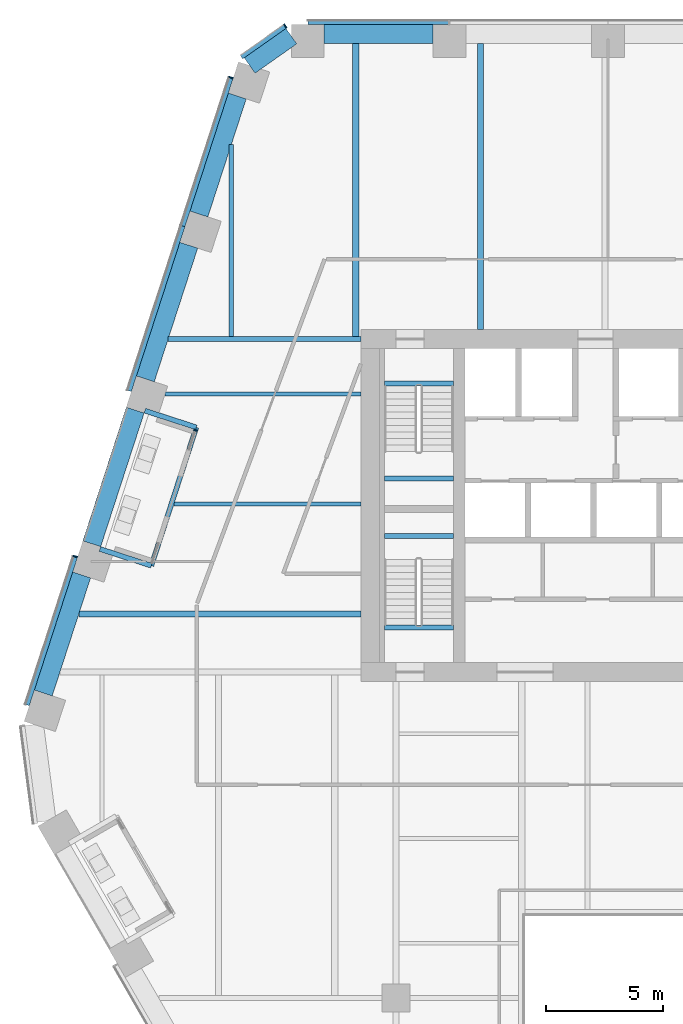
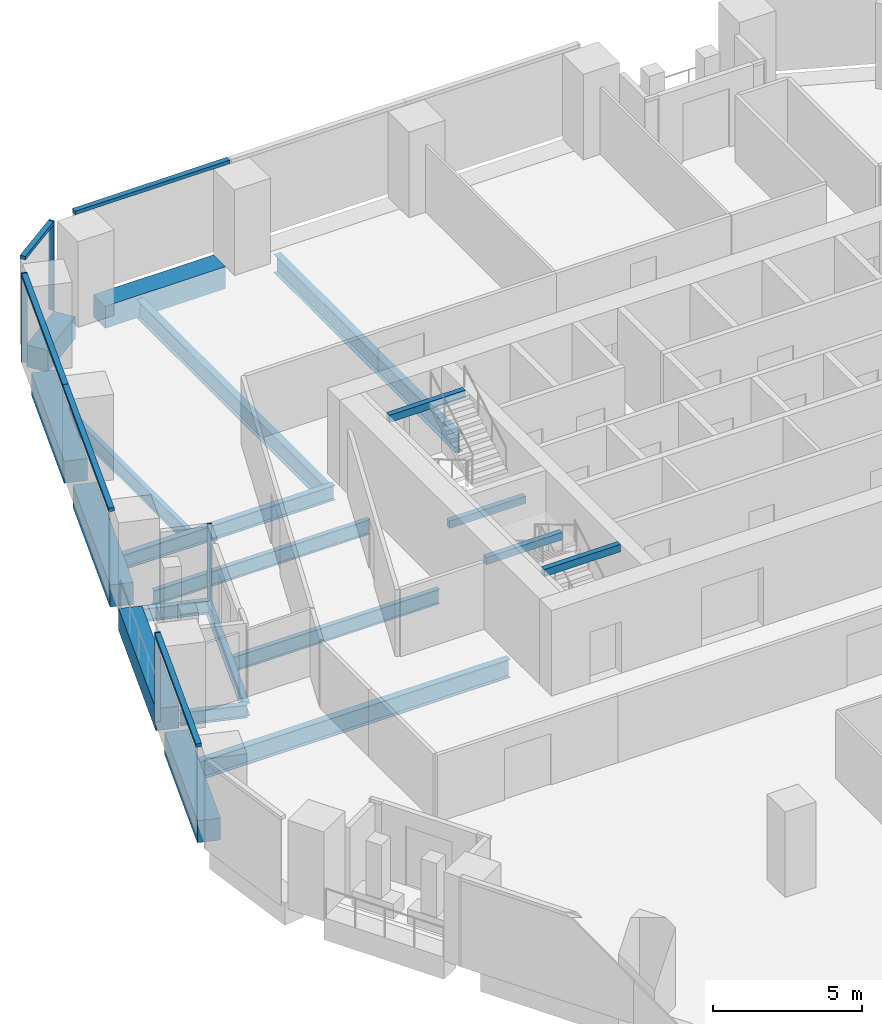
# One storey, part 7 of 24: 20 beams, 9 members, 4 elements without a shape of their own.
"""IFC4 building model written with IfcOpenShell, lengths in metres."""

from ifc_helpers import new_model, si_unit, direction, frame, origin, origin_2d, place, context, subcontext, project, spatial, rectangle, i_section, extrude, material, layer, layer_set, material_profile, profile_set, type_object, element, aggregate, save


model = new_model("IFC4")

# Units and contexts
model_context = context("Model", 3, precision=1e-05, world=origin(), true_north=direction((0.0, 1.0)))
body_context = subcontext(model_context, "Body", "Model", "MODEL_VIEW")
ifc_project = project(units=[si_unit("LENGTHUNIT", "METRE"), si_unit("AREAUNIT", "SQUARE_METRE"), si_unit("VOLUMEUNIT", "CUBIC_METRE"), si_unit("PLANEANGLEUNIT", "RADIAN"), si_unit("MASSUNIT", "GRAM", prefix="KILO")], contexts=[model_context])

# Site, building, storey
site_placement = place(None, origin())
site = spatial("IfcSite", under=ifc_project, at=site_placement, CompositionType="ELEMENT")
building_placement = place(site_placement, origin())
building = spatial("IfcBuilding", under=site, at=building_placement, Name="Isthmus Gate Tower", CompositionType="ELEMENT")
storey_placement = place(building_placement, frame((0.0, 0.0, 159.0)))
storey = spatial("IfcBuildingStorey", under=building, at=storey_placement, Name="L39", CompositionType="ELEMENT", Elevation=159.0)

# Curtain wall, member
ifc_material_1 = material(Name="Aluminium, pale champagne anodised", Category="aluminium")
ifc_layer_1 = layer(ifc_material_1, 0.199951171875)
ifc_layer_set_1 = layer_set([ifc_layer_1], Name="CW-1 UNITISED CURTAIN WALL 200 DEEP")
curtain_wall_type_1 = type_object("IfcCurtainWallType", Name="CW-1 UNITISED CURTAIN WALL 200 DEEP", PredefinedType="NOTDEFINED", material=ifc_layer_set_1)
curtain_wall_1_placement = place(storey_placement, origin())
curtain_wall_1 = element("IfcCurtainWall", 1, at=curtain_wall_1_placement, inside=storey, type_object=curtain_wall_type_1, Name="CW-1 N-NW L39", PredefinedType="NOTDEFINED")
ifc_material_2 = material(Name="Aluminium, pale champagne anodised", Category="aluminium")
ifc_material_profile_1 = material_profile(ifc_material_2, rectangle(XDim=0.06005859375, YDim=0.199951171875, at=origin_2d()), Name="60x200")
ifc_profile_set_1 = profile_set([ifc_material_profile_1], Name="Aluminium, pale champagne anodised")
member_type_1 = type_object("IfcMemberType", Name="CW-1 MULLION 60 X 200", PredefinedType="MULLION", material=ifc_profile_set_1)
member_1_placement = place(storey_placement, frame((-18.216552734375, 27.943115234375, 0.0), z_axis=(0.0, 0.0, 1.0), x_axis=(-0.81785959165, -0.57541783805, 0.0)))
member_1 = element("IfcMember", 2, at=member_1_placement, type_object=member_type_1, Name="CW-1 mullion", PredefinedType="MULLION", context=body_context, shape_type="SweptSolid", body=[
    extrude(rectangle(XDim=0.06005859375, YDim=0.199951171875, at=origin_2d()), origin(), (0.0, 0.0, 1.0), 3.64990234375),
])

# Curtain wall, members
curtain_wall_2_placement = place(storey_placement, origin())
curtain_wall_2 = element("IfcCurtainWall", 3, at=curtain_wall_2_placement, inside=storey, type_object=curtain_wall_type_1, Name="CW-1 NW L39", PredefinedType="NOTDEFINED")
member_2_placement = place(storey_placement, frame((-20.53564453125, 25.75146484375, 0.0), z_axis=(0.0, 0.0, 1.0), x_axis=(-0.309016994375, -0.951056516295, 0.0)))
member_2 = element("IfcMember", 4, at=member_2_placement, type_object=member_type_1, Name="CW-1 mullion", PredefinedType="MULLION", context=body_context, shape_type="SweptSolid", body=[
    extrude(rectangle(XDim=0.06005859375, YDim=0.199951171875, at=origin_2d()), origin(), (0.0, 0.0, 1.0), 3.64990234375),
])
member_3_placement = place(storey_placement, frame((-27.1708984375, 5.330078125, 0.0), z_axis=(0.0, 0.0, 1.0), x_axis=(-0.309016994375, -0.951056516295, 0.0)))
member_3 = element("IfcMember", 5, at=member_3_placement, type_object=member_type_1, Name="CW-1 mullion", PredefinedType="MULLION", context=body_context, shape_type="SweptSolid", body=[
    extrude(rectangle(XDim=0.06005859375, YDim=0.199951171875, at=origin_2d()), origin(), (0.0, 0.0, 1.0), 3.64990234375),
])

# Curtain wall, member
curtain_wall_3_placement = place(storey_placement, origin())
curtain_wall_3 = element("IfcCurtainWall", 6, at=curtain_wall_3_placement, inside=storey, type_object=curtain_wall_type_1, Name="CW-1 N L39", PredefinedType="NOTDEFINED")
ifc_material_3 = material(Name="Aluminium, pale champagne anodised", Category="aluminium")
ifc_material_profile_2 = material_profile(ifc_material_3, rectangle(XDim=0.199951171875, YDim=0.139892578125, at=origin_2d()), Name="200x140")
ifc_profile_set_2 = profile_set([ifc_material_profile_2], Name="Aluminium, pale champagne anodised")
member_type_2 = type_object("IfcMemberType", Name="CW-1 TRANSOM 200 X 140", PredefinedType="USERDEFINED", material=ifc_profile_set_2)
member_4_placement = place(storey_placement, frame((-11.271728515625, 28.10009765625, 3.580078125), z_axis=(-1.0, 0.0, 0.0), x_axis=(0.0, -1.0, 0.0)))
member_4 = element("IfcMember", 7, at=member_4_placement, type_object=member_type_2, Name="CW-1 transom", ObjectType="TRANSOM", PredefinedType="USERDEFINED", context=body_context, shape_type="SweptSolid", body=[
    extrude(rectangle(XDim=0.199951171875, YDim=0.139892578125, at=origin_2d()), origin(), (0.0, 0.0, 1.0), 5.990234375),
])
aggregate(curtain_wall_3, [member_4])

# Member
member_5_placement = place(storey_placement, frame((-18.2412109375, 27.92578125, 3.580078125), z_axis=(-0.817868595604, -0.575405040233, 0.0), x_axis=(0.575405040233, -0.817868595604, 0.0)))
member_5 = element("IfcMember", 8, at=member_5_placement, type_object=member_type_2, Name="CW-1 transom", ObjectType="TRANSOM", PredefinedType="USERDEFINED", context=body_context, shape_type="SweptSolid", body=[
    extrude(rectangle(XDim=0.199951171875, YDim=0.139892578125, at=origin_2d()), origin(), (0.0, 0.0, 1.0), 2.258544921875),
])

aggregate(curtain_wall_1, [member_1, member_5])

member_6_placement = place(storey_placement, frame((-20.544921875, 25.72314453125, 3.580078125), z_axis=(-0.30898366881, -0.951067343782, 0.0), x_axis=(0.951067343782, -0.30898366881, 0.0)))
member_6 = element("IfcMember", 9, at=member_6_placement, type_object=member_type_2, Name="CW-1 transom", ObjectType="TRANSOM", PredefinedType="USERDEFINED", context=body_context, shape_type="SweptSolid", body=[
    extrude(rectangle(XDim=0.199951171875, YDim=0.139892578125, at=origin_2d()), origin(), (0.0, 0.0, 1.0), 6.630859375),
])

member_7_placement = place(storey_placement, frame((-22.59375, 19.416748046875, 3.580078125), z_axis=(-0.309024076379, -0.951054215183, 0.0), x_axis=(0.951054215183, -0.309024076379, 0.0)))
member_7 = element("IfcMember", 10, at=member_7_placement, type_object=member_type_2, Name="CW-1 transom", ObjectType="TRANSOM", PredefinedType="USERDEFINED", context=body_context, shape_type="SweptSolid", body=[
    extrude(rectangle(XDim=0.199951171875, YDim=0.139892578125, at=origin_2d()), origin(), (0.0, 0.0, 1.0), 7.390869140625),
])

member_8_placement = place(storey_placement, frame((-27.18017578125, 5.301513671875, 3.580078125), z_axis=(-0.309027792969, -0.951053007552, 0.0), x_axis=(0.951053007552, -0.309027792969, 0.0)))
member_8 = element("IfcMember", 11, at=member_8_placement, type_object=member_type_2, Name="CW-1 transom", ObjectType="TRANSOM", PredefinedType="USERDEFINED", context=body_context, shape_type="SweptSolid", body=[
    extrude(rectangle(XDim=0.199951171875, YDim=0.139892578125, at=origin_2d()), origin(), (0.0, 0.0, 1.0), 6.630615234375),
])

aggregate(curtain_wall_2, [member_2, member_6, member_7, member_3, member_8])

# Curtain wall, member
ifc_material_4 = material(Name="Aluminium, pale champagne anodised", Category="aluminium")
ifc_layer_2 = layer(ifc_material_4, 0.14990234375)
ifc_layer_set_2 = layer_set([ifc_layer_2], Name="CW-6 LOGGIA BACK WALL GLAZING 150 DEEP")
curtain_wall_type_2 = type_object("IfcCurtainWallType", Name="CW-6 LOGGIA BACK WALL GLAZING 150 DEEP", PredefinedType="NOTDEFINED", material=ifc_layer_set_2)
curtain_wall_4_placement = place(storey_placement, origin())
curtain_wall_4 = element("IfcCurtainWall", 12, at=curtain_wall_4_placement, inside=storey, type_object=curtain_wall_type_2, Name="CW-6 NW L39", PredefinedType="NOTDEFINED")
ifc_material_5 = material(Name="Aluminium, pale champagne anodised", Category="aluminium")
ifc_material_profile_3 = material_profile(ifc_material_5, rectangle(XDim=0.06005859375, YDim=0.14990234375, at=origin_2d()), Name="60x150")
ifc_profile_set_3 = profile_set([ifc_material_profile_3], Name="Aluminium, pale champagne anodised")
member_type_3 = type_object("IfcMemberType", Name="CW-6 MULLION 60 X 150", PredefinedType="MULLION", material=ifc_profile_set_3)
member_9_placement = place(storey_placement, frame((-22.059814453125, 10.70458984375, 0.0), z_axis=(0.0, 0.0, 1.0), x_axis=(-0.309016994375, -0.951056516295, 0.0)))
member_9 = element("IfcMember", 13, at=member_9_placement, type_object=member_type_3, Name="CW-6 mullion", PredefinedType="MULLION", context=body_context, shape_type="SweptSolid", body=[
    extrude(rectangle(XDim=0.06005859375, YDim=0.14990234375, at=origin_2d()), origin(), (0.0, 0.0, 1.0), 3.050048828125),
])
aggregate(curtain_wall_4, [member_9])

# Beams
ifc_material_6 = material(Name="Concrete f'c 60 MPa", Category="concrete")
ifc_material_profile_4 = material_profile(ifc_material_6, rectangle(XDim=0.800048828125, YDim=0.89990234375, at=origin_2d()), Name="RC 800X900")
ifc_profile_set_4 = profile_set([ifc_material_profile_4], Name="Concrete f'c 60 MPa")
beam_type_1 = type_object("IfcBeamType", Name="RC SPANDREL 800 X 900", PredefinedType="SPANDREL", material=ifc_profile_set_4)
beam_1_placement = place(storey_placement, frame((-28.537353515625, -0.493408203125, -0.449951171875), z_axis=(0.309033901013, 0.951051022829, 0.0), x_axis=(-0.951051022829, 0.309033901013, 0.0)))
element("IfcBeam", 14, at=beam_1_placement, inside=storey, type_object=beam_type_1, Name="str-spandrel-L39-21", PredefinedType="SPANDREL", context=body_context, shape_type="SweptSolid", body=[
    extrude(rectangle(XDim=0.800048828125, YDim=0.89990234375, at=origin_2d()), origin(), (0.0, 0.0, 1.0), 5.290771484375),
])
for number, where, z_axis, x_axis, name in (
    (15, (-26.4697265625, 5.869873046875, -0.449951171875), (0.309029860788, 0.951052335648, 0.0), (-0.951052335648, 0.309029860788, 0.0), "str-spandrel-L39-22"),
    (16, (-24.185791015625, 12.89892578125, -0.449951171875), (0.308992998998, 0.951064312531, 0.0), (-0.951064312531, 0.308992998998, 0.0), "str-spandrel-L39-23"),
):
    element("IfcBeam", number, at=place(storey_placement, frame(where, z_axis=z_axis, x_axis=x_axis)), inside=storey, type_object=beam_type_1, Name=name, PredefinedType="SPANDREL", context=body_context, shape_type="SweptSolid", body=[
        extrude(rectangle(XDim=0.800048828125, YDim=0.89990234375, at=origin_2d()), origin(), (0.0, 0.0, 1.0), 5.99072265625),
    ])
beam_2_placement = place(storey_placement, frame((-21.902099609375, 19.927978515625, -0.449951171875), z_axis=(0.309020339202, 0.951055429489, 0.0), x_axis=(-0.951055429489, 0.309020339202, 0.0)))
element("IfcBeam", 17, at=beam_2_placement, inside=storey, type_object=beam_type_1, Name="str-spandrel-L39-24", PredefinedType="SPANDREL", context=body_context, shape_type="SweptSolid", body=[
    extrude(rectangle(XDim=0.800048828125, YDim=0.89990234375, at=origin_2d()), origin(), (0.0, 0.0, 1.0), 5.291015625),
])
beam_3_placement = place(storey_placement, frame((-19.7392578125, 26.260498046875, -0.449951171875), z_axis=(0.817857331203, 0.575421050882, 0.0), x_axis=(-0.575421050882, 0.817857331203, 0.0)))
element("IfcBeam", 18, at=beam_3_placement, inside=storey, type_object=beam_type_1, Name="str-spandrel-L39-25", PredefinedType="SPANDREL", context=body_context, shape_type="SweptSolid", body=[
    extrude(rectangle(XDim=0.800048828125, YDim=0.89990234375, at=origin_2d()), origin(), (0.0, 0.0, 1.0), 2.173095703125),
])
beam_4_placement = place(storey_placement, frame((-16.56201171875, 27.60009765625, -0.449951171875), z_axis=(1.0, 0.0, 0.0), x_axis=(0.0, 1.0, 0.0)))
element("IfcBeam", 19, at=beam_4_placement, inside=storey, type_object=beam_type_1, Name="str-spandrel-L39-26", PredefinedType="SPANDREL", context=body_context, shape_type="SweptSolid", body=[
    extrude(rectangle(XDim=0.800048828125, YDim=0.89990234375, at=origin_2d()), origin(), (0.0, 0.0, 1.0), 4.650146484375),
])
ifc_material_7 = material(Name="Concrete f'c 40 MPa", Category="concrete")
ifc_material_profile_5 = material_profile(ifc_material_7, rectangle(XDim=0.199951171875, YDim=0.300048828125, at=origin_2d()), Name="STAIR LANDING BEAM RC 200 X 300")
ifc_profile_set_5 = profile_set([ifc_material_profile_5], Name="Concrete f'c 40 MPa")
beam_type_2 = type_object("IfcBeamType", Name="STAIR LANDING BEAM RC 200 X 300", PredefinedType="BEAM", material=ifc_profile_set_5)
for number, where, z_axis, x_axis, name in (
    (20, (-14.0, 8.64990234375, 1.47509765625), (1.0, 0.0, 0.0), (0.0, 1.0, 0.0), "L39 ST1 landing beam 1"),
    (21, (-14.0, 12.7001953125, 3.35009765625), (1.0, 0.0, 0.0), (0.0, 1.0, 0.0), "L39 ST1 floor-edge seat beam"),
    (22, (-14.0, 6.199951171875, 1.47509765625), (1.0, 0.0, 0.0), (0.0, 1.0, 0.0), "L39 ST7 landing beam 1"),
    (23, (-14.0, 2.2998046875, 3.35009765625), (1.0, 0.0, 0.0), (0.0, 1.0, 0.0), "L39 ST7 floor-edge seat beam"),
):
    element("IfcBeam", number, at=place(storey_placement, frame(where, z_axis=z_axis, x_axis=x_axis)), inside=storey, type_object=beam_type_2, Name=name, PredefinedType="BEAM", context=body_context, shape_type="SweptSolid", body=[
        extrude(rectangle(XDim=0.199951171875, YDim=0.300048828125, at=origin_2d()), origin(), (0.0, 0.0, 1.0), 2.949951171875),
    ])
ifc_material_8 = material(Name="Structural steel ASTM A992 Gr 50", Category="steel")
ifc_material_profile_6 = material_profile(ifc_material_8, i_section(OverallWidth=0.177734375, OverallDepth=0.60009765625, WebThickness=0.009521484375, FlangeThickness=0.0126953125, at=origin_2d()), Name="W24X55")
ifc_profile_set_6 = profile_set([ifc_material_profile_6], Name="Structural steel ASTM A992 Gr 50")
beam_type_3 = type_object("IfcBeamType", Name="STEEL FLOOR BEAM W24X55", PredefinedType="JOIST", material=ifc_profile_set_6)
beam_5_placement = place(storey_placement, frame((-22.964599609375, 7.56591796875, -0.449951171875), z_axis=(1.0, 0.0, 0.0), x_axis=(0.0, 1.0, 0.0)))
element("IfcBeam", 24, at=beam_5_placement, inside=storey, type_object=beam_type_3, Name="str-beam-L39-03-01", PredefinedType="JOIST", context=body_context, shape_type="SweptSolid", body=[
    extrude(i_section(OverallWidth=0.177734375, OverallDepth=0.60009765625, WebThickness=0.009521484375, FlangeThickness=0.0126953125, at=origin_2d()), origin(), (0.0, 0.0, 1.0), 7.964599609375),
])
beam_6_placement = place(storey_placement, frame((-23.343505859375, 12.25537109375, -0.449951171875), z_axis=(1.0, 0.0, 0.0), x_axis=(0.0, 1.0, 0.0)))
element("IfcBeam", 25, at=beam_6_placement, inside=storey, type_object=beam_type_3, Name="str-beam-L39-03-02", PredefinedType="JOIST", context=body_context, shape_type="SweptSolid", body=[
    extrude(i_section(OverallWidth=0.177734375, OverallDepth=0.60009765625, WebThickness=0.009521484375, FlangeThickness=0.0126953125, at=origin_2d()), origin(), (0.0, 0.0, 1.0), 8.343505859375),
])
beam_7_placement = place(storey_placement, frame((-20.52099609375, 14.71435546875, -0.449951171875), z_axis=(0.0, 1.0, 0.0), x_axis=(-1.0, 0.0, 0.0)))
element("IfcBeam", 26, at=beam_7_placement, inside=storey, type_object=beam_type_3, Name="str-beam-L39-07-00", PredefinedType="JOIST", context=body_context, shape_type="SweptSolid", body=[
    extrude(i_section(OverallWidth=0.177734375, OverallDepth=0.60009765625, WebThickness=0.009521484375, FlangeThickness=0.0126953125, at=origin_2d()), origin(), (0.0, 0.0, 1.0), 8.16943359375),
])
ifc_material_9 = material(Name="Structural steel ASTM A992 Gr 50", Category="steel")
ifc_material_profile_7 = material_profile(ifc_material_9, i_section(OverallWidth=0.263427734375, OverallDepth=0.749267578125, WebThickness=0.0126953125, FlangeThickness=0.015869140625, at=origin_2d()), Name="W30X90")
ifc_profile_set_7 = profile_set([ifc_material_profile_7], Name="Structural steel ASTM A992 Gr 50")
beam_type_4 = type_object("IfcBeamType", Name="STEEL FLOOR BEAM W30X90", PredefinedType="JOIST", material=ifc_profile_set_7)
beam_8_placement = place(storey_placement, frame((-27.021728515625, 2.87646484375, -0.524658203125), z_axis=(1.0, 0.0, 0.0), x_axis=(0.0, 1.0, 0.0)))
element("IfcBeam", 27, at=beam_8_placement, inside=storey, type_object=beam_type_4, Name="str-beam-L39-03-00", PredefinedType="JOIST", context=body_context, shape_type="SweptSolid", body=[
    extrude(i_section(OverallWidth=0.263427734375, OverallDepth=0.749267578125, WebThickness=0.0126953125, FlangeThickness=0.015869140625, at=origin_2d()), origin(), (0.0, 0.0, 1.0), 12.021728515625),
])
beam_9_placement = place(storey_placement, frame((-15.212158203125, 14.71435546875, -0.524658203125), z_axis=(0.0, 1.0, 0.0), x_axis=(-1.0, 0.0, 0.0)))
element("IfcBeam", 28, at=beam_9_placement, inside=storey, type_object=beam_type_4, Name="str-beam-L39-07-01", PredefinedType="JOIST", context=body_context, shape_type="SweptSolid", body=[
    extrude(i_section(OverallWidth=0.263427734375, OverallDepth=0.749267578125, WebThickness=0.0126953125, FlangeThickness=0.015869140625, at=origin_2d()), origin(), (0.0, 0.0, 1.0), 12.485595703125),
])
beam_10_placement = place(storey_placement, frame((-9.9033203125, 15.0, -0.524658203125), z_axis=(0.0, 1.0, 0.0), x_axis=(-1.0, 0.0, 0.0)))
element("IfcBeam", 29, at=beam_10_placement, inside=storey, type_object=beam_type_4, Name="str-beam-L39-07-02", PredefinedType="JOIST", context=body_context, shape_type="SweptSolid", body=[
    extrude(i_section(OverallWidth=0.263427734375, OverallDepth=0.749267578125, WebThickness=0.0126953125, FlangeThickness=0.015869140625, at=origin_2d()), origin(), (0.0, 0.0, 1.0), 12.199951171875),
])
ifc_material_10 = material(Name="Structural steel ASTM A992 Gr 50", Category="steel")
ifc_material_profile_8 = material_profile(ifc_material_10, i_section(OverallWidth=0.228515625, OverallDepth=0.6064453125, WebThickness=0.010986328125, FlangeThickness=0.017578125, at=origin_2d()), Name="W24X76")
ifc_profile_set_8 = profile_set([ifc_material_profile_8], Name="Structural steel ASTM A992 Gr 50")
beam_type_5 = type_object("IfcBeamType", Name="STEEL GIRDER W24X76", PredefinedType="BEAM", material=ifc_profile_set_8)
beam_11_placement = place(storey_placement, frame((-15.0, 14.60009765625, -0.453125), z_axis=(-1.0, 0.0, 0.0), x_axis=(0.0, -1.0, 0.0)))
element("IfcBeam", 30, at=beam_11_placement, inside=storey, type_object=beam_type_5, Name="str-girder-L39-15", PredefinedType="BEAM", context=body_context, shape_type="SweptSolid", body=[
    extrude(i_section(OverallWidth=0.228515625, OverallDepth=0.6064453125, WebThickness=0.010986328125, FlangeThickness=0.017578125, at=origin_2d()), origin(), (0.0, 0.0, 1.0), 8.212646484375),
])
ifc_material_11 = material(Name="Structural steel ASTM A992 Gr 50", Category="steel")
ifc_material_profile_9 = material_profile(ifc_material_11, i_section(OverallWidth=0.20947265625, OverallDepth=0.533447265625, WebThickness=0.009521484375, FlangeThickness=0.015869140625, at=origin_2d()), Name="W21X62")
ifc_profile_set_9 = profile_set([ifc_material_profile_9], Name="Structural steel ASTM A992 Gr 50")
beam_type_6 = type_object("IfcBeamType", Name="STEEL TRIMMER W21X62", PredefinedType="BEAM", material=ifc_profile_set_9)
beam_12_placement = place(storey_placement, frame((-22.013671875, 10.831298828125, -0.416748046875), z_axis=(-0.309024636764, -0.951054033099, 0.0), x_axis=(0.951054033099, -0.309024636764, 0.0)))
element("IfcBeam", 31, at=beam_12_placement, inside=storey, type_object=beam_type_6, Name="str-loggiatrim-L39-02-B", PredefinedType="BEAM", context=body_context, shape_type="SweptSolid", body=[
    extrude(i_section(OverallWidth=0.20947265625, OverallDepth=0.533447265625, WebThickness=0.009521484375, FlangeThickness=0.015869140625, at=origin_2d()), origin(), (0.0, 0.0, 1.0), 6.2001953125),
])
for number, where, z_axis, x_axis, name in (
    (32, (-24.205810546875, 11.54345703125, -0.416748046875), (0.951070646658, -0.308973502205, 0.0), (0.308973502205, 0.951070646658, 0.0), "str-loggiatrim-L39-02-A"),
    (33, (-26.121826171875, 5.646728515625, -0.416748046875), (0.951070646658, -0.308973502205, 0.0), (0.308973502205, 0.951070646658, 0.0), "str-loggiatrim-L39-02-C"),
):
    element("IfcBeam", number, at=place(storey_placement, frame(where, z_axis=z_axis, x_axis=x_axis)), inside=storey, type_object=beam_type_6, Name=name, PredefinedType="BEAM", context=body_context, shape_type="SweptSolid", body=[
        extrude(i_section(OverallWidth=0.20947265625, OverallDepth=0.533447265625, WebThickness=0.009521484375, FlangeThickness=0.015869140625, at=origin_2d()), origin(), (0.0, 0.0, 1.0), 2.304931640625),
    ])

save(model, "model.ifc")
